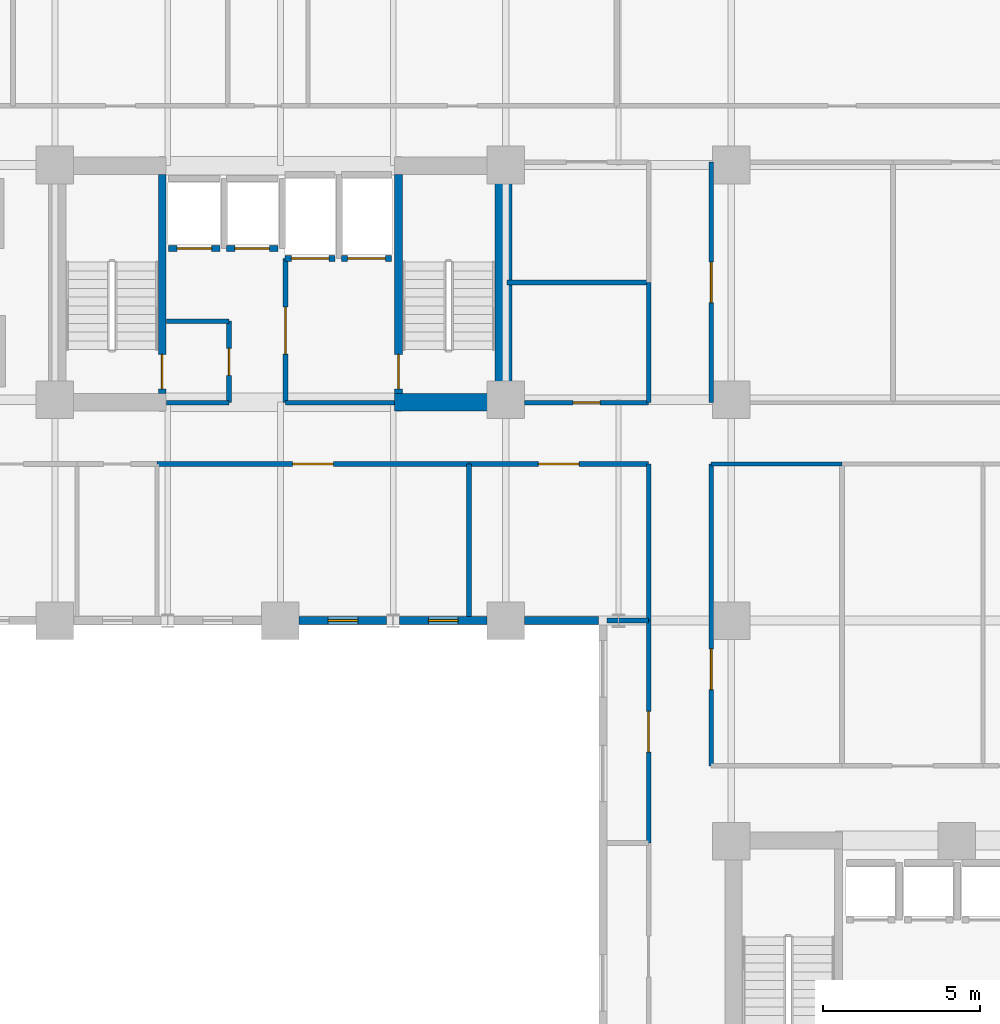
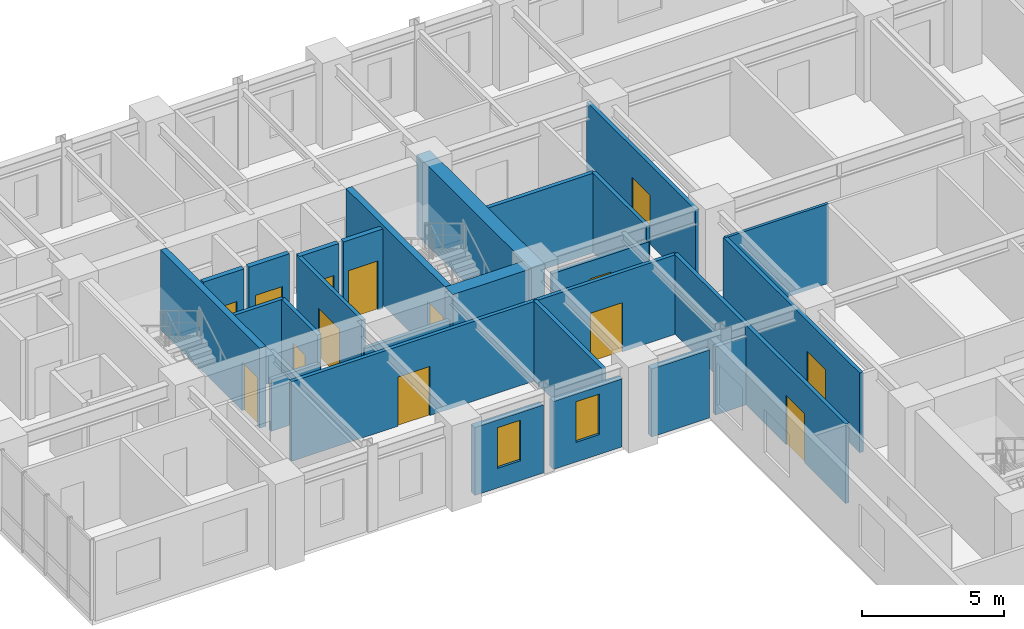
# One storey, part 11 of 18: 28 walls, 14 doors, 2 windows, 16 openings.
"""IFC4 building model written with IfcOpenShell, lengths in metres."""

import ifcopenshell
import ifcopenshell.guid

model = None  # the IFC model being written
_history = None  # IfcOwnerHistory: only IFC2X3 demands one
_inside = {}  # id of a spatial element -> (the spatial element, [elements in it])
_under = {}  # id of a project, library or spatial element -> (it, [spatial elements below it])
_declared = {}  # id of a project -> (the project, [libraries it declares])
_typed = {}  # id of a type object -> (the type object, [elements of that type])
_made_of = {}  # id of a material, layer set ... -> (it, [elements and type objects made of it])


def new_model(schema):
    """Start an empty IFC model of exactly this schema.

    Asked for "IFC4X3", IfcOpenShell would pick the latest addendum, in which some entities
    have other attributes; the version numbers below select the first issue.
    IFC2X3 requires an IfcOwnerHistory on every rooted entity: one is made here for all.
    """
    global model, _history
    if schema == "IFC4X3":
        model = ifcopenshell.file(schema_version=(4, 3, 0, 0))
    else:
        model = ifcopenshell.file(schema=schema)
    _inside.clear()
    _under.clear()
    _declared.clear()
    _typed.clear()
    _made_of.clear()
    _history = None
    if model.schema == "IFC2X3":
        org = make("IfcOrganization", Name="unknown")
        user = make(
            "IfcPersonAndOrganization",
            ThePerson=make("IfcPerson", FamilyName="unknown"),
            TheOrganization=org,
        )
        app = make(
            "IfcApplication",
            ApplicationDeveloper=org,
            Version="unknown",
            ApplicationFullName="unknown",
            ApplicationIdentifier="unknown",
        )
        _history = make(
            "IfcOwnerHistory",
            OwningUser=user,
            OwningApplication=app,
            ChangeAction="ADDED",
            CreationDate=0,
        )
    return model


def make(cls, **values):
    """One entity of the class cls with the attributes given. An attribute that is None is left unset."""
    return model.create_entity(
        cls, **{name: value for name, value in values.items() if value is not None}
    )


def rooted(cls, **values):
    """An entity with a GlobalId (a new one), such as an element, a storey or a relation."""
    return make(cls, GlobalId=ifcopenshell.guid.new(), OwnerHistory=_history, **values)


def si_unit(unit_type, name, prefix=None):
    """IfcSIUnit, for example si_unit("LENGTHUNIT", "METRE", prefix="MILLI")."""
    return make("IfcSIUnit", UnitType=unit_type, Prefix=prefix, Name=name)


def assignment(units):
    """IfcUnitAssignment: the units of a project."""
    return None if units is None else make("IfcUnitAssignment", Units=units)


def point(xyz):
    """IfcCartesianPoint."""
    return None if xyz is None else make("IfcCartesianPoint", Coordinates=xyz)


def direction(xyz):
    """IfcDirection."""
    return None if xyz is None else make("IfcDirection", DirectionRatios=xyz)


def frame(location, z_axis=None, x_axis=None):
    """IfcAxis2Placement3D, a coordinate frame: its origin and axes. An axis left out is left unset."""
    return make(
        "IfcAxis2Placement3D",
        Location=point(location),
        Axis=direction(z_axis),
        RefDirection=direction(x_axis),
    )


def frame_2d(location, x_axis=None):
    """IfcAxis2Placement2D, a coordinate frame in the plane: its origin and x axis."""
    return make(
        "IfcAxis2Placement2D", Location=point(location), RefDirection=direction(x_axis)
    )


def origin():
    """The frame at (0, 0, 0) with its axes left unset."""
    return frame((0.0, 0.0, 0.0))


def place(relative_to, where):
    """IfcLocalPlacement: puts the frame where relative to a parent placement (None: the world)."""
    return make(
        "IfcLocalPlacement", PlacementRelTo=relative_to, RelativePlacement=where
    )


def context(
    kind, dimensions, precision=None, world=None, true_north=None, identifier=None
):
    """IfcGeometricRepresentationContext, for example the 3D "Model" context."""
    return make(
        "IfcGeometricRepresentationContext",
        ContextIdentifier=identifier,
        ContextType=kind,
        CoordinateSpaceDimension=dimensions,
        Precision=precision,
        WorldCoordinateSystem=world,
        TrueNorth=true_north,
    )


def subcontext(parent, identifier, kind, view, scale=None):
    """IfcGeometricRepresentationSubContext, for example "Body" below "Model"."""
    return make(
        "IfcGeometricRepresentationSubContext",
        ContextIdentifier=identifier,
        ContextType=kind,
        ParentContext=parent,
        TargetScale=scale,
        TargetView=view,
    )


def project(units=None, contexts=None):
    """IfcProject with its units and contexts."""
    return rooted(
        "IfcProject",
        Name="project",
        RepresentationContexts=contexts,
        UnitsInContext=assignment(units),
    )


def spatial(cls, under=None, at=None, **own):
    """A site, building, storey or space (cls), placed at a placement, below another one or the project."""
    s = rooted(cls, ObjectPlacement=at, **own)
    if under is not None:
        _under.setdefault(under.id(), (under, []))[1].append(s)
    return s


def profile(cls, at=None, kind="AREA", **sizes):
    """A parametric profile (cls). Its sizes go by their IFC names, for example OverallWidth=200.0."""
    return make(cls, ProfileType=kind, Position=at, **sizes)


def rectangle(**sizes):
    """IfcRectangleProfileDef."""
    return profile("IfcRectangleProfileDef", **sizes)


def extrude(swept, where, along, depth):
    """IfcExtrudedAreaSolid: the profile swept, set in the frame where, extruded along a direction by depth."""
    return make(
        "IfcExtrudedAreaSolid",
        SweptArea=swept,
        Position=where,
        ExtrudedDirection=direction(along),
        Depth=depth,
    )


def shape(context_of_items, identifier, shape_type, items):
    """IfcShapeRepresentation: the items that make up one representation, for example the "Body"."""
    return make(
        "IfcShapeRepresentation",
        ContextOfItems=context_of_items,
        RepresentationIdentifier=identifier,
        RepresentationType=shape_type,
        Items=items,
    )


def material(Name=None, Category=None):
    """IfcMaterial."""
    return make("IfcMaterial", Name=Name, Category=Category)


def layer(
    of_material, thickness, ventilated=None, Name=None, Category=None, Priority=None
):
    """IfcMaterialLayer: one layer of a wall or slab, of a material (None: an air gap)."""
    return make(
        "IfcMaterialLayer",
        Material=of_material,
        LayerThickness=thickness,
        IsVentilated=ventilated,
        Name=Name,
        Category=Category,
        Priority=Priority,
    )


def layer_set(layers, Name=None):
    """IfcMaterialLayerSet."""
    return make("IfcMaterialLayerSet", MaterialLayers=layers, LayerSetName=Name)


def made_of(thing, what):
    """Note that an element or type object is made of a material, layer set ...; save() writes the relation."""
    if what is not None:
        _made_of.setdefault(what.id(), (what, []))[1].append(thing)
    return thing


def type_object(cls, material=None, **own):
    """A type object (cls), such as IfcWallType, which elements share."""
    return made_of(rooted(cls, **own), material)


def element(
    cls,
    number,
    at=None,
    inside=None,
    cuts=None,
    type_object=None,
    material=None,
    context=None,
    identifier="Body",
    shape_type=None,
    held_by="IfcProductDefinitionShape",
    body=None,
    shapes=None,
    **own,
):
    """One element of the class cls, such as IfcWall. Its Tag is "e" and its number.

    at: its placement. inside: the storey or other place that contains it. cuts: it is an
    opening in that element (IfcRelVoidsElement). A single representation is given by context,
    identifier, shape_type and body (its items); several are given by shapes. held_by: the class
    of the entity that holds the representations. save() writes the other relations.
    """
    e = rooted(cls, Tag="e%d" % number, ObjectPlacement=at, **own)
    if body is not None:
        shapes = [shape(context, identifier, shape_type, body)]
    if shapes is not None:
        e.Representation = make(held_by, Representations=shapes)
    if inside is not None:
        _inside.setdefault(inside.id(), (inside, []))[1].append(e)
    if cuts is not None:
        rooted(
            "IfcRelVoidsElement", RelatingBuildingElement=cuts, RelatedOpeningElement=e
        )
    if type_object is not None:
        _typed.setdefault(type_object.id(), (type_object, []))[1].append(e)
    return made_of(e, material)


def fill(opening, filler):
    """IfcRelFillsElement: the door or window that sits in an opening."""
    return rooted(
        "IfcRelFillsElement",
        RelatingOpeningElement=opening,
        RelatedBuildingElement=filler,
    )


def aggregate(whole, parts):
    """IfcRelAggregates: a whole, such as a stair, and the parts it consists of."""
    return rooted("IfcRelAggregates", RelatingObject=whole, RelatedObjects=parts)


def save(model, path):
    """Write the relations noted so far, then the file.

    IfcRelAggregates (storeys below a building ...), IfcRelContainedInSpatialStructure (elements
    in a storey), IfcRelDefinesByType, IfcRelAssociatesMaterial and IfcRelDeclares: one each for
    every whole, place, type object, material and project.
    """
    for whole, parts in _under.values():
        aggregate(whole, parts)
    for where, things in _inside.values():
        rooted(
            "IfcRelContainedInSpatialStructure",
            RelatedElements=things,
            RelatingStructure=where,
        )
    for kind, things in _typed.values():
        rooted("IfcRelDefinesByType", RelatedObjects=things, RelatingType=kind)
    for what, things in _made_of.values():
        rooted("IfcRelAssociatesMaterial", RelatedObjects=things, RelatingMaterial=what)
    for by, libraries in _declared.values():
        rooted("IfcRelDeclares", RelatingContext=by, RelatedDefinitions=libraries)
    model.write(path)


model = new_model("IFC4")

# Units and contexts
model_context = context("Model", 3, precision=1e-05, world=origin(), true_north=direction((0.0, 1.0)))
body_context = subcontext(model_context, "Body", "Model", "MODEL_VIEW")
ifc_project = project(units=[si_unit("LENGTHUNIT", "METRE"), si_unit("AREAUNIT", "SQUARE_METRE"), si_unit("VOLUMEUNIT", "CUBIC_METRE"), si_unit("PLANEANGLEUNIT", "RADIAN"), si_unit("MASSUNIT", "GRAM", prefix="KILO")], contexts=[model_context])

# Site, building, storey
site_placement = place(None, origin())
site = spatial("IfcSite", under=ifc_project, at=site_placement, CompositionType="ELEMENT")
building_placement = place(site_placement, origin())
building = spatial("IfcBuilding", under=site, at=building_placement, Name="Kaliganga Portal Commons", CompositionType="ELEMENT")
storey_placement = place(building_placement, frame((0.0, 0.0, 93.39990234375)))
storey = spatial("IfcBuildingStorey", under=building, at=storey_placement, Name="L23", CompositionType="ELEMENT", Elevation=93.39990234375)

# Walls
ifc_material_1 = material(Name="Concrete C60/75", Category="concrete")
ifc_layer_1 = layer(ifc_material_1, 0.550048828125)
ifc_layer_set_1 = layer_set([ifc_layer_1], Name="Concrete C60/75")
wall_type_1 = type_object("IfcWallType", Name="WL-CORE-550", PredefinedType="SHEAR", material=ifc_layer_set_1)
wall_1_placement = place(storey_placement, frame((28.72509765625, 28.300048828125, 0.0), z_axis=(0.0, 0.0, 1.0), x_axis=(0.0, 1.0, 0.0)))
element("IfcWall", 1, at=wall_1_placement, inside=storey, type_object=wall_type_1, Name="Core A East Shear Wall L23", PredefinedType="SHEAR", context=body_context, shape_type="SweptSolid", body=[
    extrude(rectangle(XDim=8.099853515625, YDim=0.550048828125, at=frame_2d((4.0498046875, 0.0))), origin(), (0.0, 0.0, 1.0), 3.4501953125),
])
wall_2_placement = place(storey_placement, frame((25.25, 28.574951171875, 0.0), z_axis=(0.0, 0.0, 1.0), x_axis=(1.0, 0.0, 0.0)))
element("IfcWall", 2, at=wall_2_placement, inside=storey, type_object=wall_type_1, Name="Core A S-East Shear Wall L23", PredefinedType="SHEAR", context=body_context, shape_type="SweptSolid", body=[
    extrude(rectangle(XDim=3.199951171875, YDim=0.550048828125, at=frame_2d((1.60009765625, 0.0))), origin(), (0.0, 0.0, 1.0), 3.4501953125),
])

# Wall, opening, window
ifc_material_2 = material(Name="Insulated Aluminium-Clad Spandrel Assembly", Category="aluminium")
ifc_layer_2 = layer(ifc_material_2, 0.260009765625)
ifc_layer_set_2 = layer_set([ifc_layer_2], Name="Insulated Aluminium-Clad Spandrel Assembly")
wall_type_2 = type_object("IfcWallType", Name="WL-EXT-SPAND-260", PredefinedType="STANDARD", material=ifc_layer_set_2)
wall_3_placement = place(storey_placement, frame((24.994384765625, 21.60009765625, 0.0), z_axis=(0.0, 0.0, 1.0), x_axis=(-1.0, 0.0, 0.0)))
wall_3 = element("IfcWall", 3, at=wall_3_placement, inside=storey, type_object=wall_type_2, Name="Exterior Envelope Wall L23 P1-E04-S4", PredefinedType="STANDARD", context=body_context, shape_type="SweptSolid", body=[
    extrude(rectangle(XDim=2.79345703125, YDim=0.260009765625, at=frame_2d((1.396728515625, 0.0))), origin(), (0.0, 0.0, 1.0), 2.93017578125),
])
opening_1_placement = place(wall_3_placement, frame((0.921630859375, 0.0, 0.85009765625)))
opening_1 = element("IfcOpeningElement", 4, at=opening_1_placement, cuts=wall_3, Name="Opening W-04", PredefinedType="OPENING", context=body_context, shape_type="SweptSolid", body=[
    extrude(rectangle(XDim=0.949951171875, YDim=1.75, at=frame_2d((0.47509765625, 0.875))), frame((0.0, 0.14013671875, 0.0), z_axis=(0.0, -1.0, 0.0), x_axis=(1.0, 0.0, 0.0)), (0.0, 0.0, 1.0), 0.280029296875),
])
ifc_material_3 = material(Name="Thermally Broken Aluminium and Low-E Double Glazing", Category="aluminium")
window_type = type_object("IfcWindowType", Name="WIN-NARROW-950", PartitioningType="SINGLE_PANEL", PredefinedType="WINDOW", material=ifc_material_3)
window_1_placement = place(opening_1_placement, origin())
window_1 = element("IfcWindow", 5, at=window_1_placement, inside=storey, type_object=window_type, Name="Facade Window L23-P1E04S4-00", OverallHeight=1.75, OverallWidth=0.949951171875, PartitioningType="SINGLE_PANEL", PredefinedType="WINDOW", context=body_context, shape_type="SweptSolid", body=[
    extrude(rectangle(XDim=0.949951171875, YDim=1.75, at=frame_2d((0.47509765625, 0.875))), frame((0.0, 0.030029296875, 0.0), z_axis=(0.0, -1.0, 0.0), x_axis=(1.0, 0.0, 0.0)), (0.0, 0.0, 1.0), 0.06005859375),
])
fill(opening_1, window_1)

wall_4_placement = place(storey_placement, frame((28.198974609375, 21.60009765625, 0.0), z_axis=(0.0, 0.0, 1.0), x_axis=(-1.0, 0.0, 0.0)))
wall_4 = element("IfcWall", 6, at=wall_4_placement, inside=storey, type_object=wall_type_2, Name="Exterior Envelope Wall L23 P1-E04-S5", PredefinedType="STANDARD", context=body_context, shape_type="SweptSolid", body=[
    extrude(rectangle(XDim=2.79345703125, YDim=0.260009765625, at=frame_2d((1.396728515625, 0.0))), origin(), (0.0, 0.0, 1.0), 2.93017578125),
])
opening_2_placement = place(wall_4_placement, frame((0.921875, 0.0, 0.85009765625)))
opening_2 = element("IfcOpeningElement", 7, at=opening_2_placement, cuts=wall_4, Name="Opening W-04", PredefinedType="OPENING", context=body_context, shape_type="SweptSolid", body=[
    extrude(rectangle(XDim=0.949951171875, YDim=1.75, at=frame_2d((0.47509765625, 0.875))), frame((0.0, 0.14013671875, 0.0), z_axis=(0.0, -1.0, 0.0), x_axis=(1.0, 0.0, 0.0)), (0.0, 0.0, 1.0), 0.280029296875),
])
window_2_placement = place(opening_2_placement, origin())
window_2 = element("IfcWindow", 8, at=window_2_placement, inside=storey, type_object=window_type, Name="Facade Window L23-P1E04S5-00", OverallHeight=1.75, OverallWidth=0.949951171875, PartitioningType="SINGLE_PANEL", PredefinedType="WINDOW", context=body_context, shape_type="SweptSolid", body=[
    extrude(rectangle(XDim=0.949951171875, YDim=1.75, at=frame_2d((0.47509765625, 0.875))), frame((0.0, 0.030029296875, 0.0), z_axis=(0.0, -1.0, 0.0), x_axis=(1.0, 0.0, 0.0)), (0.0, 0.0, 1.0), 0.06005859375),
])
fill(opening_2, window_2)

# Wall
wall_5_placement = place(storey_placement, frame((31.764892578125, 21.60009765625, 0.0), z_axis=(0.0, 0.0, 1.0), x_axis=(-1.0, 0.0, 0.0)))
element("IfcWall", 9, at=wall_5_placement, inside=storey, type_object=wall_type_2, Name="Exterior Envelope Wall L23 P1-E04-S6", PredefinedType="STANDARD", context=body_context, shape_type="SweptSolid", body=[
    extrude(rectangle(XDim=2.364013671875, YDim=0.260009765625, at=frame_2d((1.18212890625, 0.0))), origin(), (0.0, 0.0, 1.0), 2.93017578125),
])

# Wall, opening, door
ifc_material_4 = material(Name="Fire-Rated Gypsum Board on Steel Stud", Category="steel")
ifc_layer_3 = layer(ifc_material_4, 0.14990234375)
ifc_layer_set_3 = layer_set([ifc_layer_3], Name="Fire-Rated Gypsum Board on Steel Stud")
wall_type_3 = type_object("IfcWallType", Name="WL-PART-CORR-150", PredefinedType="PARTITIONING", material=ifc_layer_set_3)
wall_6_placement = place(storey_placement, frame((17.659912109375, 26.60009765625, 0.0), z_axis=(0.0, 0.0, 1.0), x_axis=(1.0, 0.0, 0.0)))
wall_6 = element("IfcWall", 10, at=wall_6_placement, inside=storey, type_object=wall_type_3, Name="Interior Partition L23-011", PredefinedType="PARTITIONING", context=body_context, shape_type="SweptSolid", body=[
    extrude(rectangle(XDim=9.960205078125, YDim=0.14990234375, at=frame_2d((4.97998046875, 0.0))), origin(), (0.0, 0.0, 1.0), 3.43017578125),
])
opening_3_placement = place(wall_6_placement, frame((4.330078125, 0.0, 0.0)))
opening_3 = element("IfcOpeningElement", 11, at=opening_3_placement, cuts=wall_6, Name="Opening RD-03", PredefinedType="OPENING", context=body_context, shape_type="SweptSolid", body=[
    extrude(rectangle(XDim=1.300048828125, YDim=2.1201171875, at=frame_2d((0.64990234375, 1.06005859375))), frame((0.0, 0.0849609375, 0.0), z_axis=(0.0, -1.0, 0.0), x_axis=(1.0, 0.0, 0.0)), (0.0, 0.0, 1.0), 0.169921875),
])
ifc_material_5 = material(Name="Glazed Timber Seminar Vision Door", Category="wood")
door_type_1 = type_object("IfcDoorType", Name="DR-STUDY-1300", OperationType="DOUBLE_DOOR_SINGLE_SWING", PredefinedType="DOOR", material=ifc_material_5)
door_1_placement = place(opening_3_placement, origin())
door_1 = element("IfcDoor", 12, at=door_1_placement, inside=storey, type_object=door_type_1, Name="Interior Door L23-AS04", OperationType="DOUBLE_DOOR_SINGLE_SWING", OverallHeight=2.1201171875, OverallWidth=1.300048828125, PredefinedType="DOOR", context=body_context, shape_type="SweptSolid", body=[
    extrude(rectangle(XDim=1.300048828125, YDim=2.1201171875, at=frame_2d((0.64990234375, 1.06005859375))), frame((0.0, 0.02490234375, 0.0), z_axis=(0.0, -1.0, 0.0), x_axis=(1.0, 0.0, 0.0)), (0.0, 0.0, 1.0), 0.050048828125),
])
fill(opening_3, door_1)

wall_7_placement = place(storey_placement, frame((35.360107421875, 16.9599609375, 0.0), z_axis=(0.0, 0.0, 1.0), x_axis=(0.0, 1.0, 0.0)))
wall_7 = element("IfcWall", 13, at=wall_7_placement, inside=storey, type_object=wall_type_3, Name="Interior Partition L23-013", PredefinedType="PARTITIONING", context=body_context, shape_type="SweptSolid", body=[
    extrude(rectangle(XDim=9.64013671875, YDim=0.14990234375, at=frame_2d((4.820068359375, 0.0))), origin(), (0.0, 0.0, 1.0), 3.43017578125),
])
opening_4_placement = place(wall_7_placement, frame((2.434814453125, 0.0, 0.0)))
opening_4 = element("IfcOpeningElement", 14, at=opening_4_placement, cuts=wall_7, Name="Opening RD-03", PredefinedType="OPENING", context=body_context, shape_type="SweptSolid", body=[
    extrude(rectangle(XDim=1.300048828125, YDim=2.1201171875, at=frame_2d((0.64990234375, 1.06005859375))), frame((0.0, 0.0849609375, 0.0), z_axis=(0.0, -1.0, 0.0), x_axis=(1.0, 0.0, 0.0)), (0.0, 0.0, 1.0), 0.169921875),
])
door_2_placement = place(opening_4_placement, origin())
door_2 = element("IfcDoor", 15, at=door_2_placement, inside=storey, type_object=door_type_1, Name="Interior Door L23-BM01", OperationType="DOUBLE_DOOR_SINGLE_SWING", OverallHeight=2.1201171875, OverallWidth=1.300048828125, PredefinedType="DOOR", context=body_context, shape_type="SweptSolid", body=[
    extrude(rectangle(XDim=1.300048828125, YDim=2.1201171875, at=frame_2d((0.64990234375, 1.06005859375))), frame((0.0, 0.02490234375, 0.0), z_axis=(0.0, -1.0, 0.0), x_axis=(1.0, 0.0, 0.0)), (0.0, 0.0, 1.0), 0.050048828125),
])
fill(opening_4, door_2)

wall_8_placement = place(storey_placement, frame((35.360107421875, 28.56005859375, 0.0), z_axis=(0.0, 0.0, 1.0), x_axis=(0.0, 1.0, 0.0)))
wall_8 = element("IfcWall", 16, at=wall_8_placement, inside=storey, type_object=wall_type_3, Name="Interior Partition L23-016", PredefinedType="PARTITIONING", context=body_context, shape_type="SweptSolid", body=[
    extrude(rectangle(XDim=7.679931640625, YDim=0.14990234375, at=frame_2d((3.83984375, 0.0))), origin(), (0.0, 0.0, 1.0), 3.43017578125),
])
opening_5_placement = place(wall_8_placement, frame((3.18994140625, 0.0, 0.0)))
opening_5 = element("IfcOpeningElement", 17, at=opening_5_placement, cuts=wall_8, Name="Opening RD-03", PredefinedType="OPENING", context=body_context, shape_type="SweptSolid", body=[
    extrude(rectangle(XDim=1.300048828125, YDim=2.1201171875, at=frame_2d((0.64990234375, 1.06005859375))), frame((0.0, 0.0849609375, 0.0), z_axis=(0.0, -1.0, 0.0), x_axis=(1.0, 0.0, 0.0)), (0.0, 0.0, 1.0), 0.169921875),
])
door_3_placement = place(opening_5_placement, origin())
door_3 = element("IfcDoor", 18, at=door_3_placement, inside=storey, type_object=door_type_1, Name="Interior Door L23-BK01", OperationType="DOUBLE_DOOR_SINGLE_SWING", OverallHeight=2.1201171875, OverallWidth=1.300048828125, PredefinedType="DOOR", context=body_context, shape_type="SweptSolid", body=[
    extrude(rectangle(XDim=1.300048828125, YDim=2.1201171875, at=frame_2d((0.64990234375, 1.06005859375))), frame((0.0, 0.02490234375, 0.0), z_axis=(0.0, -1.0, 0.0), x_axis=(1.0, 0.0, 0.0)), (0.0, 0.0, 1.0), 0.050048828125),
])
fill(opening_5, door_3)

wall_9_placement = place(storey_placement, frame((33.360107421875, 14.5, 0.0), z_axis=(0.0, 0.0, 1.0), x_axis=(0.0, 1.0, 0.0)))
wall_9 = element("IfcWall", 19, at=wall_9_placement, inside=storey, type_object=wall_type_3, Name="Interior Partition L23-019", PredefinedType="PARTITIONING", context=body_context, shape_type="SweptSolid", body=[
    extrude(rectangle(XDim=7.10009765625, YDim=0.14990234375, at=frame_2d((3.550048828125, 0.0))), origin(), (0.0, 0.0, 1.0), 3.43017578125),
])
opening_6_placement = place(wall_9_placement, frame((2.89990234375, 0.0, 0.0)))
opening_6 = element("IfcOpeningElement", 20, at=opening_6_placement, cuts=wall_9, Name="Opening RD-03", PredefinedType="OPENING", context=body_context, shape_type="SweptSolid", body=[
    extrude(rectangle(XDim=1.300048828125, YDim=2.1201171875, at=frame_2d((0.64990234375, 1.06005859375))), frame((0.0, 0.0849609375, 0.0), z_axis=(0.0, -1.0, 0.0), x_axis=(1.0, 0.0, 0.0)), (0.0, 0.0, 1.0), 0.169921875),
])
door_4_placement = place(opening_6_placement, origin())
door_4 = element("IfcDoor", 21, at=door_4_placement, inside=storey, type_object=door_type_1, Name="Interior Door L23-KW02", OperationType="DOUBLE_DOOR_SINGLE_SWING", OverallHeight=2.1201171875, OverallWidth=1.300048828125, PredefinedType="DOOR", context=body_context, shape_type="SweptSolid", body=[
    extrude(rectangle(XDim=1.300048828125, YDim=2.1201171875, at=frame_2d((0.64990234375, 1.06005859375))), frame((0.0, 0.02490234375, 0.0), z_axis=(0.0, -1.0, 0.0), x_axis=(1.0, 0.0, 0.0)), (0.0, 0.0, 1.0), 0.050048828125),
])
fill(opening_6, door_4)

wall_10_placement = place(storey_placement, frame((27.6201171875, 26.60009765625, 0.0), z_axis=(0.0, 0.0, 1.0), x_axis=(1.0, 0.0, 0.0)))
wall_10 = element("IfcWall", 22, at=wall_10_placement, inside=storey, type_object=wall_type_3, Name="Interior Partition L23-023", PredefinedType="PARTITIONING", context=body_context, shape_type="SweptSolid", body=[
    extrude(rectangle(XDim=5.739990234375, YDim=0.14990234375, at=frame_2d((2.8701171875, 0.0))), origin(), (0.0, 0.0, 1.0), 3.43017578125),
])
opening_7_placement = place(wall_10_placement, frame((2.219970703125, 0.0, 0.0)))
opening_7 = element("IfcOpeningElement", 23, at=opening_7_placement, cuts=wall_10, Name="Opening RD-03", PredefinedType="OPENING", context=body_context, shape_type="SweptSolid", body=[
    extrude(rectangle(XDim=1.300048828125, YDim=2.1201171875, at=frame_2d((0.64990234375, 1.06005859375))), frame((0.0, 0.0849609375, 0.0), z_axis=(0.0, -1.0, 0.0), x_axis=(1.0, 0.0, 0.0)), (0.0, 0.0, 1.0), 0.169921875),
])
door_5_placement = place(opening_7_placement, origin())
door_5 = element("IfcDoor", 24, at=door_5_placement, inside=storey, type_object=door_type_1, Name="Interior Door L23-AS05", OperationType="DOUBLE_DOOR_SINGLE_SWING", OverallHeight=2.1201171875, OverallWidth=1.300048828125, PredefinedType="DOOR", context=body_context, shape_type="SweptSolid", body=[
    extrude(rectangle(XDim=1.300048828125, YDim=2.1201171875, at=frame_2d((0.64990234375, 1.06005859375))), frame((0.0, 0.02490234375, 0.0), z_axis=(0.0, -1.0, 0.0), x_axis=(1.0, 0.0, 0.0)), (0.0, 0.0, 1.0), 0.050048828125),
])
fill(opening_7, door_5)

# Wall
wall_11_placement = place(storey_placement, frame((33.360107421875, 21.60009765625, 0.0), z_axis=(0.0, 0.0, 1.0), x_axis=(0.0, 1.0, 0.0)))
element("IfcWall", 25, at=wall_11_placement, inside=storey, type_object=wall_type_3, Name="Interior Partition L23-025", PredefinedType="PARTITIONING", context=body_context, shape_type="SweptSolid", body=[
    extrude(rectangle(XDim=5.0, YDim=0.14990234375, at=frame_2d((2.5, 0.0))), origin(), (0.0, 0.0, 1.0), 3.43017578125),
])

# Wall, opening, door
wall_12_placement = place(storey_placement, frame((29.39990234375, 28.56005859375, 0.0), z_axis=(0.0, 0.0, 1.0), x_axis=(1.0, 0.0, 0.0)))
wall_12 = element("IfcWall", 26, at=wall_12_placement, inside=storey, type_object=wall_type_3, Name="Interior Partition L23-029", PredefinedType="PARTITIONING", context=body_context, shape_type="SweptSolid", body=[
    extrude(rectangle(XDim=3.960205078125, YDim=0.14990234375, at=frame_2d((1.97998046875, 0.0))), origin(), (0.0, 0.0, 1.0), 2.780029296875),
])
opening_8_placement = place(wall_12_placement, frame((1.550048828125, 0.0, 0.0)))
opening_8 = element("IfcOpeningElement", 27, at=opening_8_placement, cuts=wall_12, Name="Opening WD-02", PredefinedType="OPENING", context=body_context, shape_type="SweptSolid", body=[
    extrude(rectangle(XDim=0.860107421875, YDim=2.02001953125, at=frame_2d((0.43017578125, 1.010009765625))), frame((0.0, 0.0849609375, 0.0), z_axis=(0.0, -1.0, 0.0), x_axis=(1.0, 0.0, 0.0)), (0.0, 0.0, 1.0), 0.169921875),
])
ifc_material_6 = material(Name="Fire-Rated Utility Closet Door", Category="wood")
door_type_2 = type_object("IfcDoorType", Name="DR-STORE-800", OperationType="NOTDEFINED", PredefinedType="DOOR", material=ifc_material_6)
door_6_placement = place(opening_8_placement, origin())
door_6 = element("IfcDoor", 28, at=door_6_placement, inside=storey, type_object=door_type_2, Name="Interior Door L23-CSRV_A1", OperationType="SINGLE_SWING_RIGHT", OverallHeight=2.02001953125, OverallWidth=0.860107421875, PredefinedType="DOOR", context=body_context, shape_type="SweptSolid", body=[
    extrude(rectangle(XDim=0.860107421875, YDim=2.02001953125, at=frame_2d((0.43017578125, 1.010009765625))), frame((0.0, 0.02490234375, 0.0), z_axis=(0.0, -1.0, 0.0), x_axis=(1.0, 0.0, 0.0)), (0.0, 0.0, 1.0), 0.050048828125),
])
fill(opening_8, door_6)

# Wall
wall_13_placement = place(storey_placement, frame((33.360107421875, 28.56005859375, 0.0), z_axis=(0.0, 0.0, 1.0), x_axis=(0.0, 1.0, 0.0)))
element("IfcWall", 29, at=wall_13_placement, inside=storey, type_object=wall_type_3, Name="Interior Partition L23-036", PredefinedType="PARTITIONING", context=body_context, shape_type="SweptSolid", body=[
    extrude(rectangle(XDim=3.83984375, YDim=0.14990234375, at=frame_2d((1.919921875, 0.0))), origin(), (0.0, 0.0, 1.0), 3.43017578125),
])

# Wall, opening, door
wall_14_placement = place(storey_placement, frame((19.9599609375, 28.56005859375, 0.0), z_axis=(0.0, 0.0, 1.0), x_axis=(0.0, 1.0, 0.0)))
wall_14 = element("IfcWall", 30, at=wall_14_placement, inside=storey, type_object=wall_type_3, Name="Interior Partition L23-038", PredefinedType="PARTITIONING", context=body_context, shape_type="SweptSolid", body=[
    extrude(rectangle(XDim=2.599853515625, YDim=0.14990234375, at=frame_2d((1.2998046875, 0.0))), origin(), (0.0, 0.0, 1.0), 3.43017578125),
])
opening_9_placement = place(wall_14_placement, frame((0.8701171875, 0.0, 0.0)))
opening_9 = element("IfcOpeningElement", 31, at=opening_9_placement, cuts=wall_14, Name="Opening WD-02", PredefinedType="OPENING", context=body_context, shape_type="SweptSolid", body=[
    extrude(rectangle(XDim=0.860107421875, YDim=2.02001953125, at=frame_2d((0.43017578125, 1.010009765625))), frame((0.0, 0.0849609375, 0.0), z_axis=(0.0, -1.0, 0.0), x_axis=(1.0, 0.0, 0.0)), (0.0, 0.0, 1.0), 0.169921875),
])
door_7_placement = place(opening_9_placement, origin())
door_7 = element("IfcDoor", 32, at=door_7_placement, inside=storey, type_object=door_type_2, Name="Interior Door L23-CIN_A1", OperationType="SINGLE_SWING_RIGHT", OverallHeight=2.02001953125, OverallWidth=0.860107421875, PredefinedType="DOOR", context=body_context, shape_type="SweptSolid", body=[
    extrude(rectangle(XDim=0.860107421875, YDim=2.02001953125, at=frame_2d((0.43017578125, 1.010009765625))), frame((0.0, 0.02490234375, 0.0), z_axis=(0.0, -1.0, 0.0), x_axis=(1.0, 0.0, 0.0)), (0.0, 0.0, 1.0), 0.050048828125),
])
fill(opening_9, door_7)

# Walls
wall_15_placement = place(storey_placement, frame((17.9599609375, 28.56005859375, 0.0), z_axis=(0.0, 0.0, 1.0), x_axis=(1.0, 0.0, 0.0)))
element("IfcWall", 33, at=wall_15_placement, inside=storey, type_object=wall_type_3, Name="Interior Partition L23-042", PredefinedType="PARTITIONING", context=body_context, shape_type="SweptSolid", body=[
    extrude(rectangle(XDim=2.0, YDim=0.14990234375, at=frame_2d((1.0, 0.0))), origin(), (0.0, 0.0, 1.0), 2.22998046875),
])
wall_16_placement = place(storey_placement, frame((17.9599609375, 31.159912109375, 0.0), z_axis=(0.0, 0.0, 1.0), x_axis=(1.0, 0.0, 0.0)))
element("IfcWall", 34, at=wall_16_placement, inside=storey, type_object=wall_type_3, Name="Interior Partition L23-043", PredefinedType="PARTITIONING", context=body_context, shape_type="SweptSolid", body=[
    extrude(rectangle(XDim=2.0, YDim=0.14990234375, at=frame_2d((1.0, 0.0))), origin(), (0.0, 0.0, 1.0), 3.43017578125),
])

# Wall, opening, door
wall_17_placement = place(storey_placement, frame((21.760009765625, 28.56005859375, 0.0), z_axis=(0.0, 0.0, 1.0), x_axis=(0.0, 1.0, 0.0)))
wall_17 = element("IfcWall", 35, at=wall_17_placement, inside=storey, type_object=wall_type_3, Name="Interior Partition L23-072", PredefinedType="PARTITIONING", context=body_context, shape_type="SweptSolid", body=[
    extrude(rectangle(XDim=4.599853515625, YDim=0.14990234375, at=frame_2d((2.2998046875, 0.0))), origin(), (0.0, 0.0, 1.0), 3.43017578125),
])
opening_10_placement = place(wall_17_placement, frame((1.550048828125, 0.0, 0.0)))
opening_10 = element("IfcOpeningElement", 36, at=opening_10_placement, cuts=wall_17, Name="Opening FD-01", PredefinedType="OPENING", context=body_context, shape_type="SweptSolid", body=[
    extrude(rectangle(XDim=1.5, YDim=2.10009765625, at=frame_2d((0.75, 1.050048828125))), frame((0.0, 0.0849609375, 0.0), z_axis=(0.0, -1.0, 0.0), x_axis=(1.0, 0.0, 0.0)), (0.0, 0.0, 1.0), 0.169921875),
])
ifc_material_7 = material(Name="Fire-Rated Hardwood and Georgian-Wired Vision Panel", Category="wood")
door_type_3 = type_object("IfcDoorType", Name="DR-LOBBY-1500", OperationType="DOUBLE_DOOR_SINGLE_SWING", PredefinedType="DOOR", material=ifc_material_7)
door_8_placement = place(opening_10_placement, origin())
door_8 = element("IfcDoor", 37, at=door_8_placement, inside=storey, type_object=door_type_3, Name="Interior Door L23-FFLOB_A", OperationType="DOUBLE_DOOR_SINGLE_SWING", OverallHeight=2.10009765625, OverallWidth=1.5, PredefinedType="DOOR", context=body_context, shape_type="SweptSolid", body=[
    extrude(rectangle(XDim=1.5, YDim=2.10009765625, at=frame_2d((0.75, 1.050048828125))), frame((0.0, 0.02490234375, 0.0), z_axis=(0.0, -1.0, 0.0), x_axis=(1.0, 0.0, 0.0)), (0.0, 0.0, 1.0), 0.050048828125),
])
fill(opening_10, door_8)

# Walls
wall_18_placement = place(storey_placement, frame((21.760009765625, 28.56005859375, 0.0), z_axis=(0.0, 0.0, 1.0), x_axis=(1.0, 0.0, 0.0)))
element("IfcWall", 38, at=wall_18_placement, inside=storey, type_object=wall_type_3, Name="Interior Partition L23-076", PredefinedType="PARTITIONING", context=body_context, shape_type="SweptSolid", body=[
    extrude(rectangle(XDim=3.47998046875, YDim=0.14990234375, at=frame_2d((1.739990234375, 0.0))), origin(), (0.0, 0.0, 1.0), 2.22998046875),
])
ifc_material_8 = material(Name="Moisture-Resistant Gypsum Partition", Category="gypsum")
ifc_layer_4 = layer(ifc_material_8, 0.114990234375)
ifc_layer_set_4 = layer_set([ifc_layer_4], Name="Moisture-Resistant Gypsum Partition")
wall_type_4 = type_object("IfcWallType", Name="WL-PART-ROOM-115", PredefinedType="PARTITIONING", material=ifc_layer_set_4)
wall_19_placement = place(storey_placement, frame((35.360107421875, 26.60009765625, 0.0), z_axis=(0.0, 0.0, 1.0), x_axis=(1.0, 0.0, 0.0)))
element("IfcWall", 39, at=wall_19_placement, inside=storey, type_object=wall_type_4, Name="Interior Partition L23-075", PredefinedType="PARTITIONING", context=body_context, shape_type="SweptSolid", body=[
    extrude(rectangle(XDim=4.179931640625, YDim=0.114990234375, at=frame_2d((2.08984375, 0.0))), origin(), (0.0, 0.0, 1.0), 3.43017578125),
])
ifc_material_9 = material(Name="Twin-Stud Acoustic Gypsum Partition", Category="gypsum")
ifc_layer_5 = layer(ifc_material_9, 0.1650390625)
ifc_layer_set_5 = layer_set([ifc_layer_5], Name="Twin-Stud Acoustic Gypsum Partition")
wall_type_5 = type_object("IfcWallType", Name="WL-PART-UNIT-165", PredefinedType="PARTITIONING", material=ifc_layer_set_5)
wall_20_placement = place(storey_placement, frame((27.6201171875, 21.73193359375, 0.0), z_axis=(0.0, 0.0, 1.0), x_axis=(0.0, 1.0, 0.0)))
element("IfcWall", 40, at=wall_20_placement, inside=storey, type_object=wall_type_5, Name="Interior Partition L23-068", PredefinedType="PARTITIONING", context=body_context, shape_type="SweptSolid", body=[
    extrude(rectangle(XDim=4.8681640625, YDim=0.1650390625, at=frame_2d((2.43408203125, 0.0))), origin(), (0.0, 0.0, 1.0), 3.43017578125),
])
wall_21_placement = place(storey_placement, frame((28.840087890625, 32.39990234375, 0.0), z_axis=(0.0, 0.0, 1.0), x_axis=(1.0, 0.0, 0.0)))
element("IfcWall", 41, at=wall_21_placement, inside=storey, type_object=wall_type_5, Name="Interior Partition L23-073", PredefinedType="PARTITIONING", context=body_context, shape_type="SweptSolid", body=[
    extrude(rectangle(XDim=4.52001953125, YDim=0.1650390625, at=frame_2d((2.260009765625, 0.0))), origin(), (0.0, 0.0, 1.0), 3.43017578125),
])
wall_22_placement = place(storey_placement, frame((32.031982421875, 21.60009765625, 0.0), z_axis=(0.0, 0.0, 1.0), x_axis=(1.0, 0.0, 0.0)))
element("IfcWall", 42, at=wall_22_placement, inside=storey, type_object=wall_type_5, Name="Interior Partition L23-083", PredefinedType="PARTITIONING", context=body_context, shape_type="SweptSolid", body=[
    extrude(rectangle(XDim=1.328125, YDim=0.1650390625, at=frame_2d((0.6640625, 0.0))), origin(), (0.0, 0.0, 1.0), 2.93017578125),
])

# Wall, opening, door
ifc_material_10 = material(Name="Fire-Rated Shaftwall Masonry Assembly", Category="masonry")
ifc_layer_6 = layer(ifc_material_10, 0.199951171875)
ifc_layer_set_6 = layer_set([ifc_layer_6], Name="Fire-Rated Shaftwall Masonry Assembly")
wall_type_6 = type_object("IfcWallType", Name="WL-SHAFT-200", PredefinedType="PARTITIONING", material=ifc_layer_set_6)
wall_23_placement = place(storey_placement, frame((18.02490234375, 33.485107421875, 0.0), z_axis=(0.0, 0.0, 1.0), x_axis=(1.0, 0.0, 0.0)))
wall_23 = element("IfcWall", 43, at=wall_23_placement, inside=storey, type_object=wall_type_6, Name="Lift PL-A1 Hoistway Shaft Wall L23-S", PredefinedType="PARTITIONING", context=body_context, shape_type="SweptSolid", body=[
    extrude(rectangle(XDim=1.650146484375, YDim=0.199951171875, at=frame_2d((0.8251953125, 0.0))), origin(), (0.0, 0.0, 1.0), 3.43017578125),
])
opening_11_placement = place(wall_23_placement, frame((0.27490234375, 0.0, 0.0)))
opening_11 = element("IfcOpeningElement", 44, at=opening_11_placement, cuts=wall_23, Name="Opening LD-01", PredefinedType="OPENING", context=body_context, shape_type="SweptSolid", body=[
    extrude(rectangle(XDim=1.10009765625, YDim=2.1201171875, at=frame_2d((0.550048828125, 1.06005859375))), frame((0.0, 0.10986328125, 0.0), z_axis=(0.0, -1.0, 0.0), x_axis=(1.0, 0.0, 0.0)), (0.0, 0.0, 1.0), 0.219970703125),
])
ifc_material_11 = material(Name="Brushed Stainless Steel 316 Lift Landing Door", Category="steel")
door_type_4 = type_object("IfcDoorType", Name="DR-LIFT-1100", OperationType="SLIDING_TO_LEFT", PredefinedType="DOOR", material=ifc_material_11)
door_9_placement = place(opening_11_placement, origin())
door_9 = element("IfcDoor", 45, at=door_9_placement, inside=storey, type_object=door_type_4, Name="Lift PL-A1 Sliding Landing Door L23", OperationType="SLIDING_TO_LEFT", OverallHeight=2.1201171875, OverallWidth=1.10009765625, PredefinedType="DOOR", context=body_context, shape_type="SweptSolid", body=[
    extrude(rectangle(XDim=1.10009765625, YDim=2.1201171875, at=frame_2d((0.550048828125, 1.06005859375))), frame((0.0, 0.02490234375, 0.0), z_axis=(0.0, -1.0, 0.0), x_axis=(1.0, 0.0, 0.0)), (0.0, 0.0, 1.0), 0.050048828125),
])
fill(opening_11, door_9)

wall_24_placement = place(storey_placement, frame((19.875, 33.485107421875, 0.0), z_axis=(0.0, 0.0, 1.0), x_axis=(1.0, 0.0, 0.0)))
wall_24 = element("IfcWall", 46, at=wall_24_placement, inside=storey, type_object=wall_type_6, Name="Lift PL-A2 Hoistway Shaft Wall L23-S", PredefinedType="PARTITIONING", context=body_context, shape_type="SweptSolid", body=[
    extrude(rectangle(XDim=1.64990234375, YDim=0.199951171875, at=frame_2d((0.824951171875, 0.0))), origin(), (0.0, 0.0, 1.0), 3.43017578125),
])
opening_12_placement = place(wall_24_placement, frame((0.27490234375, 0.0, 0.0)))
opening_12 = element("IfcOpeningElement", 47, at=opening_12_placement, cuts=wall_24, Name="Opening LD-01", PredefinedType="OPENING", context=body_context, shape_type="SweptSolid", body=[
    extrude(rectangle(XDim=1.10009765625, YDim=2.1201171875, at=frame_2d((0.550048828125, 1.06005859375))), frame((0.0, 0.10986328125, 0.0), z_axis=(0.0, -1.0, 0.0), x_axis=(1.0, 0.0, 0.0)), (0.0, 0.0, 1.0), 0.219970703125),
])
door_10_placement = place(opening_12_placement, origin())
door_10 = element("IfcDoor", 48, at=door_10_placement, inside=storey, type_object=door_type_4, Name="Lift PL-A2 Sliding Landing Door L23", OperationType="SLIDING_TO_LEFT", OverallHeight=2.1201171875, OverallWidth=1.10009765625, PredefinedType="DOOR", context=body_context, shape_type="SweptSolid", body=[
    extrude(rectangle(XDim=1.10009765625, YDim=2.1201171875, at=frame_2d((0.550048828125, 1.06005859375))), frame((0.0, 0.02490234375, 0.0), z_axis=(0.0, -1.0, 0.0), x_axis=(1.0, 0.0, 0.0)), (0.0, 0.0, 1.0), 0.050048828125),
])
fill(opening_12, door_10)

wall_25_placement = place(storey_placement, frame((21.75, 33.159912109375, 0.0), z_axis=(0.0, 0.0, 1.0), x_axis=(1.0, 0.0, 0.0)))
wall_25 = element("IfcWall", 49, at=wall_25_placement, inside=storey, type_object=wall_type_6, Name="Lift FFL-1 Hoistway Shaft Wall L23-S", PredefinedType="PARTITIONING", context=body_context, shape_type="SweptSolid", body=[
    extrude(rectangle(XDim=1.60009765625, YDim=0.199951171875, at=frame_2d((0.800048828125, 0.0))), origin(), (0.0, 0.0, 1.0), 3.43017578125),
])
opening_13_placement = place(wall_25_placement, frame((0.199951171875, 0.0, 0.0)))
opening_13 = element("IfcOpeningElement", 50, at=opening_13_placement, cuts=wall_25, Name="Opening LD-02", PredefinedType="OPENING", context=body_context, shape_type="SweptSolid", body=[
    extrude(rectangle(XDim=1.199951171875, YDim=2.1201171875, at=frame_2d((0.60009765625, 1.06005859375))), frame((0.0, 0.10986328125, 0.0), z_axis=(0.0, -1.0, 0.0), x_axis=(1.0, 0.0, 0.0)), (0.0, 0.0, 1.0), 0.219970703125),
])
ifc_material_12 = material(Name="Brushed Stainless Steel 316 Stretcher Lift Landing Door", Category="steel")
door_type_5 = type_object("IfcDoorType", Name="DR-LIFT-1200", OperationType="SLIDING_TO_RIGHT", PredefinedType="DOOR", material=ifc_material_12)
door_11_placement = place(opening_13_placement, origin())
door_11 = element("IfcDoor", 51, at=door_11_placement, inside=storey, type_object=door_type_5, Name="Lift FFL-1 Sliding Landing Door L23", OperationType="SLIDING_TO_RIGHT", OverallHeight=2.1201171875, OverallWidth=1.199951171875, PredefinedType="DOOR", context=body_context, shape_type="SweptSolid", body=[
    extrude(rectangle(XDim=1.199951171875, YDim=2.1201171875, at=frame_2d((0.60009765625, 1.06005859375))), frame((0.0, 0.02490234375, 0.0), z_axis=(0.0, -1.0, 0.0), x_axis=(1.0, 0.0, 0.0)), (0.0, 0.0, 1.0), 0.050048828125),
])
fill(opening_13, door_11)

wall_26_placement = place(storey_placement, frame((23.550048828125, 33.159912109375, 0.0), z_axis=(0.0, 0.0, 1.0), x_axis=(1.0, 0.0, 0.0)))
wall_26 = element("IfcWall", 52, at=wall_26_placement, inside=storey, type_object=wall_type_6, Name="Lift FFL-2 Hoistway Shaft Wall L23-S", PredefinedType="PARTITIONING", context=body_context, shape_type="SweptSolid", body=[
    extrude(rectangle(XDim=1.599853515625, YDim=0.199951171875, at=frame_2d((0.7998046875, 0.0))), origin(), (0.0, 0.0, 1.0), 3.43017578125),
])
opening_14_placement = place(wall_26_placement, frame((0.199951171875, 0.0, 0.0)))
opening_14 = element("IfcOpeningElement", 53, at=opening_14_placement, cuts=wall_26, Name="Opening LD-02", PredefinedType="OPENING", context=body_context, shape_type="SweptSolid", body=[
    extrude(rectangle(XDim=1.199951171875, YDim=2.1201171875, at=frame_2d((0.60009765625, 1.06005859375))), frame((0.0, 0.10986328125, 0.0), z_axis=(0.0, -1.0, 0.0), x_axis=(1.0, 0.0, 0.0)), (0.0, 0.0, 1.0), 0.219970703125),
])
door_12_placement = place(opening_14_placement, origin())
door_12 = element("IfcDoor", 54, at=door_12_placement, inside=storey, type_object=door_type_5, Name="Lift FFL-2 Sliding Landing Door L23", OperationType="SLIDING_TO_RIGHT", OverallHeight=2.1201171875, OverallWidth=1.199951171875, PredefinedType="DOOR", context=body_context, shape_type="SweptSolid", body=[
    extrude(rectangle(XDim=1.199951171875, YDim=2.1201171875, at=frame_2d((0.60009765625, 1.06005859375))), frame((0.0, 0.02490234375, 0.0), z_axis=(0.0, -1.0, 0.0), x_axis=(1.0, 0.0, 0.0)), (0.0, 0.0, 1.0), 0.050048828125),
])
fill(opening_14, door_12)

ifc_material_13 = material(Name="Concrete C50/60", Category="concrete")
ifc_layer_7 = layer(ifc_material_13, 0.25)
ifc_layer_set_7 = layer_set([ifc_layer_7], Name="Concrete C50/60")
wall_type_7 = type_object("IfcWallType", Name="WL-STAIR-250", PredefinedType="SHEAR", material=ifc_layer_set_7)
wall_27_placement = place(storey_placement, frame((17.824951171875, 28.85009765625, 0.0), z_axis=(0.0, 0.0, 1.0), x_axis=(0.0, 1.0, 0.0)))
wall_27 = element("IfcWall", 55, at=wall_27_placement, inside=storey, type_object=wall_type_7, Name="Stair A1 Enclosure Shear Wall L23", PredefinedType="SHEAR", context=body_context, shape_type="SweptSolid", body=[
    extrude(rectangle(XDim=7.0, YDim=0.25, at=frame_2d((3.5, 0.0))), origin(), (0.0, 0.0, 1.0), 3.4501953125),
])
opening_15_placement = place(wall_27_placement, frame((0.14990234375, 0.0, 0.0)))
opening_15 = element("IfcOpeningElement", 56, at=opening_15_placement, cuts=wall_27, Name="Opening SD-01", PredefinedType="OPENING", context=body_context, shape_type="SweptSolid", body=[
    extrude(rectangle(XDim=1.10009765625, YDim=2.080078125, at=frame_2d((0.550048828125, 1.0400390625))), frame((0.0, 0.135009765625, 0.0), z_axis=(0.0, -1.0, 0.0), x_axis=(1.0, 0.0, 0.0)), (0.0, 0.0, 1.0), 0.27001953125),
])
ifc_material_14 = material(Name="Galvanized Steel Fire Door Leaf and Frame", Category="steel")
door_type_6 = type_object("IfcDoorType", Name="DR-STAIR-1100", OperationType="NOTDEFINED", PredefinedType="DOOR", material=ifc_material_14)
door_13_placement = place(opening_15_placement, origin())
door_13 = element("IfcDoor", 57, at=door_13_placement, inside=storey, type_object=door_type_6, Name="Protected Stair ST-A1 Fire Door L23", OperationType="SINGLE_SWING_LEFT", OverallHeight=2.080078125, OverallWidth=1.10009765625, PredefinedType="DOOR", context=body_context, shape_type="SweptSolid", body=[
    extrude(rectangle(XDim=1.10009765625, YDim=2.080078125, at=frame_2d((0.550048828125, 1.0400390625))), frame((0.0, 0.02490234375, 0.0), z_axis=(0.0, -1.0, 0.0), x_axis=(1.0, 0.0, 0.0)), (0.0, 0.0, 1.0), 0.050048828125),
])
fill(opening_15, door_13)

wall_28_placement = place(storey_placement, frame((25.375, 28.85009765625, 0.0), z_axis=(0.0, 0.0, 1.0), x_axis=(0.0, 1.0, 0.0)))
wall_28 = element("IfcWall", 58, at=wall_28_placement, inside=storey, type_object=wall_type_7, Name="Stair A2 Enclosure Shear Wall L23", PredefinedType="SHEAR", context=body_context, shape_type="SweptSolid", body=[
    extrude(rectangle(XDim=7.0, YDim=0.25, at=frame_2d((3.5, 0.0))), origin(), (0.0, 0.0, 1.0), 3.4501953125),
])
opening_16_placement = place(wall_28_placement, frame((0.14990234375, 0.0, 0.0)))
opening_16 = element("IfcOpeningElement", 59, at=opening_16_placement, cuts=wall_28, Name="Opening SD-01", PredefinedType="OPENING", context=body_context, shape_type="SweptSolid", body=[
    extrude(rectangle(XDim=1.10009765625, YDim=2.080078125, at=frame_2d((0.550048828125, 1.0400390625))), frame((0.0, 0.135009765625, 0.0), z_axis=(0.0, -1.0, 0.0), x_axis=(1.0, 0.0, 0.0)), (0.0, 0.0, 1.0), 0.27001953125),
])
door_14_placement = place(opening_16_placement, origin())
door_14 = element("IfcDoor", 60, at=door_14_placement, inside=storey, type_object=door_type_6, Name="Protected Stair ST-A2 Fire Door L23", OperationType="SINGLE_SWING_RIGHT", OverallHeight=2.080078125, OverallWidth=1.10009765625, PredefinedType="DOOR", context=body_context, shape_type="SweptSolid", body=[
    extrude(rectangle(XDim=1.10009765625, YDim=2.080078125, at=frame_2d((0.550048828125, 1.0400390625))), frame((0.0, 0.02490234375, 0.0), z_axis=(0.0, -1.0, 0.0), x_axis=(1.0, 0.0, 0.0)), (0.0, 0.0, 1.0), 0.050048828125),
])
fill(opening_16, door_14)

save(model, "model.ifc")
